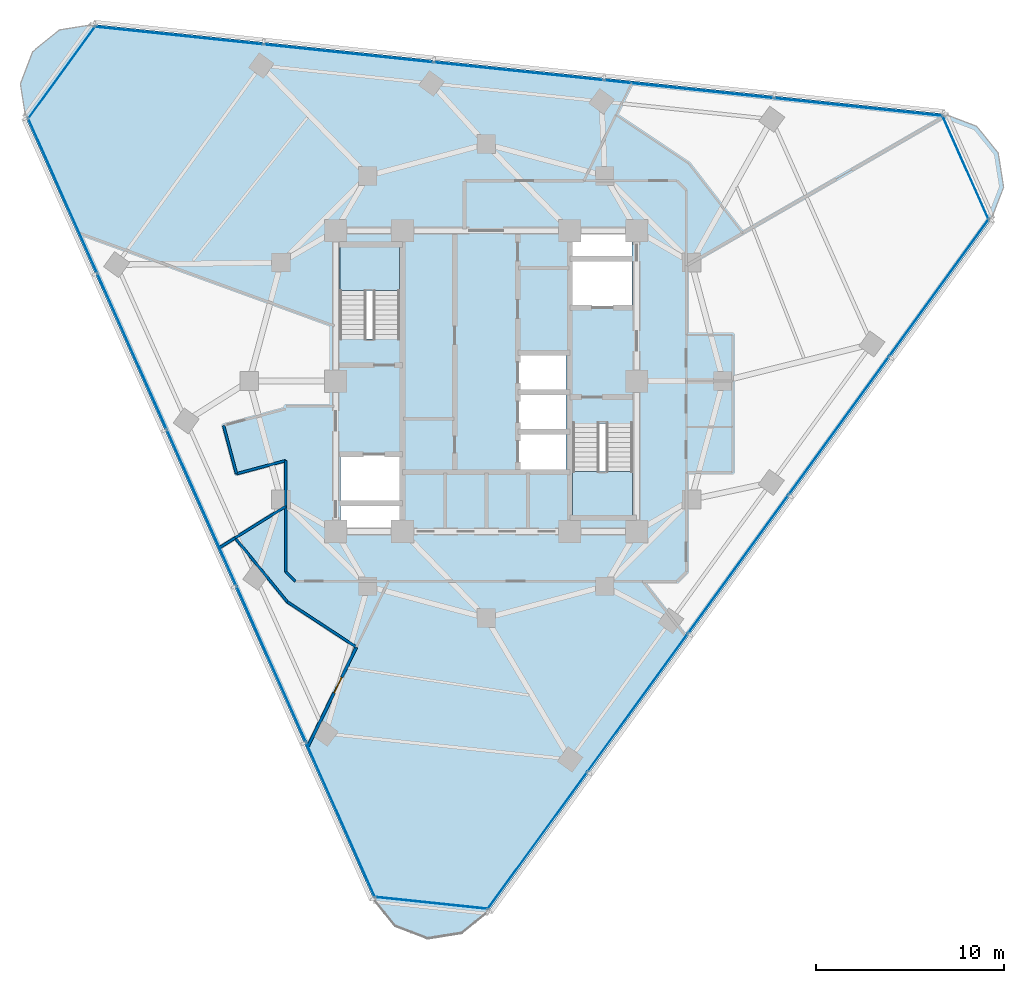
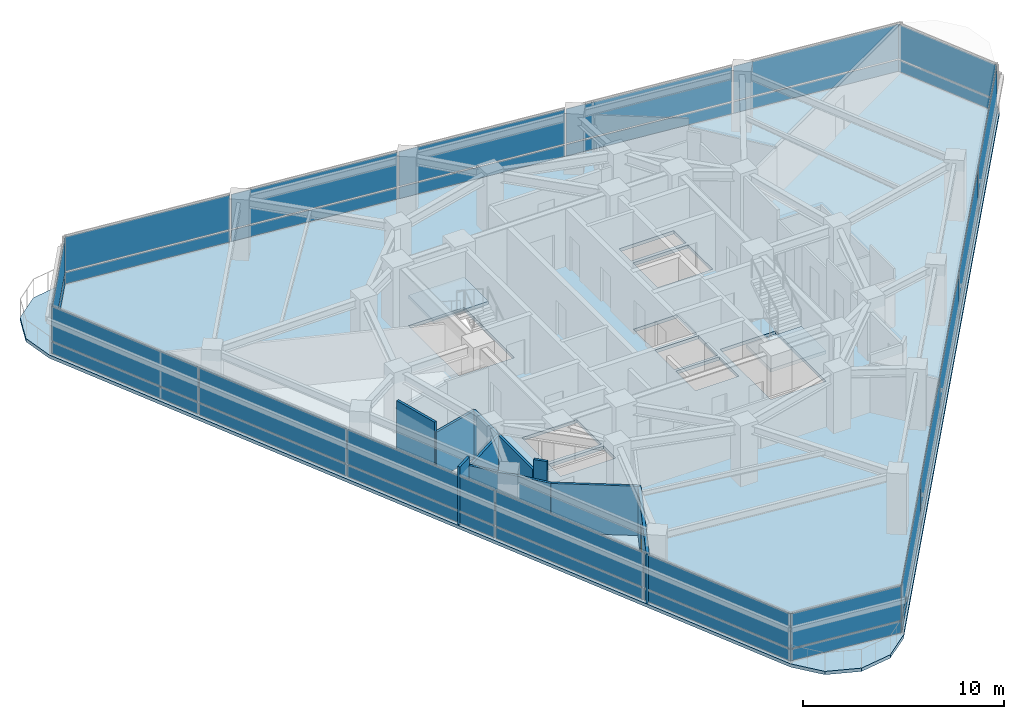
# One storey, part 7 of 14: 36 plates, 10 walls, 3 slabs, 1 door, 1 opening, 8 elements without a shape of their own.
"""IFC4 building model written with IfcOpenShell, lengths in metres."""

from ifc_helpers import new_model, si_unit, direction, frame, frame_2d, origin, origin_2d, place, context, subcontext, project, spatial, polyline, rectangle, outline, extrude, material, layer, layer_set, type_object, element, fill, aggregate, save


model = new_model("IFC4")

# Units and contexts
model_context = context("Model", 3, precision=1e-05, world=origin(), true_north=direction((0.0, 1.0)))
body_context = subcontext(model_context, "Body", "Model", "MODEL_VIEW")
ifc_project = project(units=[si_unit("LENGTHUNIT", "METRE"), si_unit("AREAUNIT", "SQUARE_METRE"), si_unit("VOLUMEUNIT", "CUBIC_METRE"), si_unit("PLANEANGLEUNIT", "RADIAN"), si_unit("MASSUNIT", "GRAM", prefix="KILO")], contexts=[model_context])

# Site, building, storey
site_placement = place(None, origin())
site = spatial("IfcSite", under=ifc_project, at=site_placement, CompositionType="ELEMENT")
building_placement = place(site_placement, origin())
building = spatial("IfcBuilding", under=site, at=building_placement, Name="Terralouvre Media Tower", CompositionType="ELEMENT")
storey_placement = place(building_placement, frame((0.0, 0.0, 241.10009765625)))
storey = spatial("IfcBuildingStorey", under=building, at=storey_placement, Name="L62", CompositionType="ELEMENT", Elevation=241.10009765625)

# Slab
ifc_material_1 = material(Name="Concrete C40/50", Category="concrete")
ifc_layer_1 = layer(ifc_material_1, 0.199951171875, Name="Composite Tower Floor Slab S-TYP200")
ifc_layer_set_1 = layer_set([ifc_layer_1], Name="Concrete C40/50")
slab_type_1 = type_object("IfcSlabType", Name="Composite Tower Floor Slab S-TYP200", PredefinedType="FLOOR", material=ifc_layer_set_1)
slab_1_placement = place(storey_placement, frame((0.0, 0.0, -0.2001953125), z_axis=(0.0, 0.0, 1.0), x_axis=(0.587785252292, 0.809016994375, 0.0)))
element("IfcSlab", 1, at=slab_1_placement, inside=storey, type_object=slab_type_1, Name="L62 Structural Floor Slab", PredefinedType="FLOOR", context=body_context, shape_type="SweptSolid", body=[
    extrude(outline(polyline([(-25.824462890625, -11.359619140625), (-26.300048828125, -13.134765625), (-25.824462890625, -14.90966796875), (-24.52490234375, -16.209228515625), (-22.75, -16.684814453125), (22.75, -16.684814453125), (24.52490234375, -16.209228515625), (25.824462890625, -14.90966796875), (26.300048828125, -13.134765625), (25.824462890625, -11.359619140625), (3.074462890625, 28.04443359375), (1.77490234375, 29.34375), (0.0, 29.8193359375), (-1.77490234375, 29.34375), (-3.074462890625, 28.04443359375), (-25.824462890625, -11.359619140625)]), holes=[polyline([(-8.043212890625, -0.157958984375), (-9.01416015625, -0.86328125), (-10.86572265625, 1.68505859375), (-9.894775390625, 2.390380859375), (-8.043212890625, -0.157958984375)]), polyline([(-5.8994140625, 1.399658203125), (-7.881591796875, -0.040283203125), (-9.733154296875, 2.508056640625), (-7.7509765625, 3.9482421875), (-5.8994140625, 1.399658203125)]), polyline([(-3.169677734375, -7.98876953125), (0.887451171875, -5.041015625), (2.7568359375, -7.61376953125), (-1.300537109375, -10.5615234375), (-3.169677734375, -7.98876953125)]), polyline([(0.2490234375, -5.072265625), (-1.320556640625, -6.212646484375), (-2.7900390625, -4.190185546875), (-1.220458984375, -3.0498046875), (0.2490234375, -5.072265625)]), polyline([(1.947998046875, -3.838134765625), (0.37841796875, -4.978271484375), (-1.091064453125, -2.955810546875), (0.478515625, -1.8154296875), (1.947998046875, -3.838134765625)]), polyline([(3.64697265625, -2.603759765625), (2.077392578125, -3.743896484375), (0.60791015625, -1.721435546875), (2.177490234375, -0.5810546875), (3.64697265625, -2.603759765625)]), polyline([(3.169677734375, 7.98876953125), (-0.887451171875, 5.041015625), (-2.7568359375, 7.61376953125), (1.300537109375, 10.5615234375), (3.169677734375, 7.98876953125)]), polyline([(7.7509765625, -3.9482421875), (5.8994140625, -1.399658203125), (7.881591796875, 0.040283203125), (9.733154296875, -2.508056640625), (7.7509765625, -3.9482421875)]), polyline([(9.894775390625, -2.390380859375), (8.043212890625, 0.157958984375), (9.01416015625, 0.86328125), (10.86572265625, -1.68505859375), (9.894775390625, -2.390380859375)])]), origin(), (0.0, 0.0, 1.0), 0.2001953125),
])

# Stair, slab
ifc_material_2 = material(Name="Concrete C45/55", Category="concrete")
stair_type_1 = type_object("IfcStairType", Name="Dogleg Stair Assembly ST-01", PredefinedType="HALF_TURN_STAIR", material=ifc_material_2)
stair_1_placement = place(storey_placement, origin())
stair_1 = element("IfcStair", 2, at=stair_1_placement, inside=storey, type_object=stair_type_1, Name="L62 Core Pressurised Exit Stair ST-01", PredefinedType="HALF_TURN_STAIR")
ifc_material_3 = material(Name="Concrete C45/55", Category="concrete")
ifc_layer_2 = layer(ifc_material_3, 0.199951171875, Name="Reinforced Concrete Stair Half-Landing SL-LD1")
ifc_layer_set_2 = layer_set([ifc_layer_2], Name="Concrete C45/55")
slab_type_2 = type_object("IfcSlabType", Name="Reinforced Concrete Stair Half-Landing SL-LD1", PredefinedType="LANDING", material=ifc_layer_set_2)
slab_2_placement = place(storey_placement, frame((0.0, 0.0, 1.64990234375)))
slab_2 = element("IfcSlab", 3, at=slab_2_placement, type_object=slab_type_2, Name="ST-01 landing 1", PredefinedType="LANDING", context=body_context, shape_type="SweptSolid", body=[
    extrude(outline(polyline([(-4.60009765625, 4.820068359375), (-4.60009765625, 7.260009765625), (-7.780029296875, 7.260009765625), (-7.780029296875, 4.820068359375), (-4.60009765625, 4.820068359375)])), origin(), (0.0, 0.0, 1.0), 0.199951171875),
])
aggregate(stair_1, [slab_2])

ifc_material_4 = material(Name="Concrete C45/55", Category="concrete")
stair_type_2 = type_object("IfcStairType", Name="Dogleg Stair Assembly ST-02", PredefinedType="HALF_TURN_STAIR", material=ifc_material_4)
stair_2_placement = place(storey_placement, origin())
stair_2 = element("IfcStair", 4, at=stair_2_placement, inside=storey, type_object=stair_type_2, Name="L62 Core Pressurised Exit Stair ST-02", PredefinedType="HALF_TURN_STAIR")
slab_3_placement = place(storey_placement, frame((0.0, 0.0, 1.64990234375)))
slab_3 = element("IfcSlab", 5, at=slab_3_placement, type_object=slab_type_2, Name="ST-02 landing 1", PredefinedType="LANDING", context=body_context, shape_type="SweptSolid", body=[
    extrude(outline(polyline([(4.60009765625, -4.820068359375), (4.60009765625, -7.260009765625), (7.780029296875, -7.260009765625), (7.780029296875, -4.820068359375), (4.60009765625, -4.820068359375)])), origin(), (0.0, 0.0, 1.0), 0.199951171875),
])
aggregate(stair_2, [slab_3])

# Curtain wall, plates
ifc_material_5 = material(Name="Low-iron laminated double glazing with solar-control coating", Category="glass")
ifc_layer_3 = layer(ifc_material_5, 0.1650390625, Name="Rounded Wind-Corner Curved Glazing CW-04")
ifc_layer_set_3 = layer_set([ifc_layer_3], Name="Low-iron laminated double glazing with solar-control coating")
curtain_wall_type_1 = type_object("IfcCurtainWallType", Name="Rounded Wind-Corner Curved Glazing CW-04", PredefinedType="NOTDEFINED", material=ifc_layer_set_3)
curtain_wall_1_placement = place(storey_placement, origin())
curtain_wall_1 = element("IfcCurtainWall", 6, at=curtain_wall_1_placement, inside=storey, type_object=curtain_wall_type_1, Name="L62 Rounded Wind-Corner Curtain Wall C0", PredefinedType="NOTDEFINED")
ifc_material_6 = material(Name="Low-iron laminated double glazing with solar-control coating", Category="glass")
ifc_layer_4 = layer(ifc_material_6, 0.0400390625, Name="Rounded Corner Laminated Vision Panel CWP-03")
ifc_layer_set_4 = layer_set([ifc_layer_4], Name="Low-iron laminated double glazing with solar-control coating")
plate_type_1 = type_object("IfcPlateType", Name="Rounded Corner Laminated Vision Panel CWP-03", PredefinedType="CURTAIN_PANEL", material=ifc_layer_set_4)
plate_1_placement = place(storey_placement, frame((-2.916748046875, -27.75146484375, 0.074951171875), z_axis=(0.0, 0.0, 1.0), x_axis=(0.994521944551, -0.104527995322, 0.0)))
plate_1 = element("IfcPlate", 7, at=plate_1_placement, type_object=plate_type_1, Name="CW-04 panel 1.1", PredefinedType="CURTAIN_PANEL", context=body_context, shape_type="SweptSolid", body=[
    extrude(rectangle(XDim=5.998779296875, YDim=0.035888671875, at=origin_2d()), origin(), (0.0, 0.0, 1.0), 0.6875),
])
plate_2_placement = place(storey_placement, frame((-2.916748046875, -27.75146484375, 0.83740234375), z_axis=(0.0, 0.0, 1.0), x_axis=(0.994521944551, -0.104527995322, 0.0)))
plate_2 = element("IfcPlate", 8, at=plate_2_placement, type_object=plate_type_1, Name="CW-04 panel 1.2", PredefinedType="CURTAIN_PANEL", context=body_context, shape_type="SweptSolid", body=[
    extrude(rectangle(XDim=5.998779296875, YDim=0.035888671875, at=origin_2d()), origin(), (0.0, 0.0, 1.0), 2.08740234375),
])
aggregate(curtain_wall_1, [plate_1, plate_2])

curtain_wall_2_placement = place(storey_placement, origin())
curtain_wall_2 = element("IfcCurtainWall", 9, at=curtain_wall_2_placement, inside=storey, type_object=curtain_wall_type_1, Name="L62 Rounded Wind-Corner Curtain Wall C1", PredefinedType="NOTDEFINED")
plate_3_placement = place(storey_placement, frame((25.491943359375, 11.349853515625, 0.074951171875), z_axis=(0.0, 0.0, 1.0), x_axis=(-0.406737441315, 0.913545102243, 0.0)))
plate_3 = element("IfcPlate", 10, at=plate_3_placement, type_object=plate_type_1, Name="CW-04 panel 1.1", PredefinedType="CURTAIN_PANEL", context=body_context, shape_type="SweptSolid", body=[
    extrude(rectangle(XDim=5.998779296875, YDim=0.035888671875, at=origin_2d()), origin(), (0.0, 0.0, 1.0), 0.6875),
])
plate_4_placement = place(storey_placement, frame((25.491943359375, 11.349853515625, 0.83740234375), z_axis=(0.0, 0.0, 1.0), x_axis=(-0.406737441315, 0.913545102243, 0.0)))
plate_4 = element("IfcPlate", 11, at=plate_4_placement, type_object=plate_type_1, Name="CW-04 panel 1.2", PredefinedType="CURTAIN_PANEL", context=body_context, shape_type="SweptSolid", body=[
    extrude(rectangle(XDim=5.998779296875, YDim=0.035888671875, at=origin_2d()), origin(), (0.0, 0.0, 1.0), 2.08740234375),
])
aggregate(curtain_wall_2, [plate_3, plate_4])

curtain_wall_3_placement = place(storey_placement, origin())
curtain_wall_3 = element("IfcCurtainWall", 12, at=curtain_wall_3_placement, inside=storey, type_object=curtain_wall_type_1, Name="L62 Rounded Wind-Corner Curtain Wall C2", PredefinedType="NOTDEFINED")
plate_5_placement = place(storey_placement, frame((-22.5751953125, 16.40185546875, 0.074951171875), z_axis=(0.0, 0.0, 1.0), x_axis=(-0.58778588998, -0.809016531067, 0.0)))
plate_5 = element("IfcPlate", 13, at=plate_5_placement, type_object=plate_type_1, Name="CW-04 panel 1.1", PredefinedType="CURTAIN_PANEL", context=body_context, shape_type="SweptSolid", body=[
    extrude(rectangle(XDim=5.998779296875, YDim=0.035888671875, at=origin_2d()), origin(), (0.0, 0.0, 1.0), 0.6875),
])
plate_6_placement = place(storey_placement, frame((-22.5751953125, 16.40185546875, 0.83740234375), z_axis=(0.0, 0.0, 1.0), x_axis=(-0.58778588998, -0.809016531067, 0.0)))
plate_6 = element("IfcPlate", 14, at=plate_6_placement, type_object=plate_type_1, Name="CW-04 panel 1.2", PredefinedType="CURTAIN_PANEL", context=body_context, shape_type="SweptSolid", body=[
    extrude(rectangle(XDim=5.998779296875, YDim=0.035888671875, at=origin_2d()), origin(), (0.0, 0.0, 1.0), 2.08740234375),
])
aggregate(curtain_wall_3, [plate_5, plate_6])

ifc_material_7 = material(Name="Low-iron laminated double glazing with solar-control coating", Category="glass")
ifc_layer_5 = layer(ifc_material_7, 0.1650390625, Name="Upper Executive Tower Curtain Wall CW-05")
ifc_layer_set_5 = layer_set([ifc_layer_5], Name="Low-iron laminated double glazing with solar-control coating")
curtain_wall_type_2 = type_object("IfcCurtainWallType", Name="Upper Executive Tower Curtain Wall CW-05", PredefinedType="NOTDEFINED", material=ifc_layer_set_5)
curtain_wall_4_placement = place(storey_placement, origin())
curtain_wall_4 = element("IfcCurtainWall", 15, at=curtain_wall_4_placement, inside=storey, type_object=curtain_wall_type_2, Name="L62 Facade Curtain Wall F0", PredefinedType="NOTDEFINED")
ifc_material_8 = material(Name="Low-iron laminated double glazing with solar-control coating", Category="glass")
ifc_layer_6 = layer(ifc_material_8, 0.035888671875, Name="Vision Double-Glazed Unit CWP-01")
ifc_layer_set_6 = layer_set([ifc_layer_6], Name="Low-iron laminated double glazing with solar-control coating")
plate_type_2 = type_object("IfcPlateType", Name="Vision Double-Glazed Unit CWP-01", PredefinedType="CURTAIN_PANEL", material=ifc_layer_set_6)
plate_7_placement = place(storey_placement, frame((2.71435546875, -24.4453125, 0.074951171875), z_axis=(0.0, 0.0, 1.0), x_axis=(0.587785300879, 0.809016959074, 0.0)))
plate_7 = element("IfcPlate", 16, at=plate_7_placement, type_object=plate_type_2, Name="CW-05 panel 1.1", PredefinedType="CURTAIN_PANEL", context=body_context, shape_type="SweptSolid", body=[
    extrude(rectangle(XDim=8.987548828125, YDim=0.035888671875, at=origin_2d()), origin(), (0.0, 0.0, 1.0), 0.6875),
])
plate_8_placement = place(storey_placement, frame((2.71435546875, -24.4453125, 0.83740234375), z_axis=(0.0, 0.0, 1.0), x_axis=(0.587785300879, 0.809016959074, 0.0)))
plate_8 = element("IfcPlate", 17, at=plate_8_placement, type_object=plate_type_2, Name="CW-05 panel 1.2", PredefinedType="CURTAIN_PANEL", context=body_context, shape_type="SweptSolid", body=[
    extrude(rectangle(XDim=8.987548828125, YDim=0.035888671875, at=origin_2d()), origin(), (0.0, 0.0, 1.0), 2.08740234375),
])
plate_9_placement = place(storey_placement, frame((8.05224609375, -17.0986328125, 0.074951171875), z_axis=(0.0, 0.0, 1.0), x_axis=(0.587785300879, 0.809016959074, 0.0)))
plate_9 = element("IfcPlate", 18, at=plate_9_placement, type_object=plate_type_2, Name="CW-05 panel 2.1", PredefinedType="CURTAIN_PANEL", context=body_context, shape_type="SweptSolid", body=[
    extrude(rectangle(XDim=9.02490234375, YDim=0.035888671875, at=origin_2d()), origin(), (0.0, 0.0, 1.0), 0.6875),
])
plate_10_placement = place(storey_placement, frame((8.05224609375, -17.0986328125, 0.83740234375), z_axis=(0.0, 0.0, 1.0), x_axis=(0.587785300879, 0.809016959074, 0.0)))
plate_10 = element("IfcPlate", 19, at=plate_10_placement, type_object=plate_type_2, Name="CW-05 panel 2.2", PredefinedType="CURTAIN_PANEL", context=body_context, shape_type="SweptSolid", body=[
    extrude(rectangle(XDim=9.02490234375, YDim=0.035888671875, at=origin_2d()), origin(), (0.0, 0.0, 1.0), 2.08740234375),
])
plate_11_placement = place(storey_placement, frame((13.401123046875, -9.736572265625, 0.074951171875), z_axis=(0.0, 0.0, 1.0), x_axis=(0.587785300879, 0.809016959074, 0.0)))
plate_11 = element("IfcPlate", 20, at=plate_11_placement, type_object=plate_type_2, Name="CW-05 panel 3.1", PredefinedType="CURTAIN_PANEL", context=body_context, shape_type="SweptSolid", body=[
    extrude(rectangle(XDim=9.02490234375, YDim=0.035888671875, at=origin_2d()), origin(), (0.0, 0.0, 1.0), 0.6875),
])
plate_12_placement = place(storey_placement, frame((13.401123046875, -9.736572265625, 0.83740234375), z_axis=(0.0, 0.0, 1.0), x_axis=(0.587785300879, 0.809016959074, 0.0)))
plate_12 = element("IfcPlate", 21, at=plate_12_placement, type_object=plate_type_2, Name="CW-05 panel 3.2", PredefinedType="CURTAIN_PANEL", context=body_context, shape_type="SweptSolid", body=[
    extrude(rectangle(XDim=9.02490234375, YDim=0.035888671875, at=origin_2d()), origin(), (0.0, 0.0, 1.0), 2.08740234375),
])
plate_13_placement = place(storey_placement, frame((18.75, -2.37451171875, 0.074951171875), z_axis=(0.0, 0.0, 1.0), x_axis=(0.587785300879, 0.809016959074, 0.0)))
plate_13 = element("IfcPlate", 22, at=plate_13_placement, type_object=plate_type_2, Name="CW-05 panel 4.1", PredefinedType="CURTAIN_PANEL", context=body_context, shape_type="SweptSolid", body=[
    extrude(rectangle(XDim=9.02490234375, YDim=0.035888671875, at=origin_2d()), origin(), (0.0, 0.0, 1.0), 0.6875),
])
plate_14_placement = place(storey_placement, frame((18.75, -2.37451171875, 0.83740234375), z_axis=(0.0, 0.0, 1.0), x_axis=(0.587785300879, 0.809016959074, 0.0)))
plate_14 = element("IfcPlate", 23, at=plate_14_placement, type_object=plate_type_2, Name="CW-05 panel 4.2", PredefinedType="CURTAIN_PANEL", context=body_context, shape_type="SweptSolid", body=[
    extrude(rectangle(XDim=9.02490234375, YDim=0.035888671875, at=origin_2d()), origin(), (0.0, 0.0, 1.0), 2.08740234375),
])
plate_15_placement = place(storey_placement, frame((24.087890625, 4.972412109375, 0.074951171875), z_axis=(0.0, 0.0, 1.0), x_axis=(0.587785300879, 0.809016959074, 0.0)))
plate_15 = element("IfcPlate", 24, at=plate_15_placement, type_object=plate_type_2, Name="CW-05 panel 5.1", PredefinedType="CURTAIN_PANEL", context=body_context, shape_type="SweptSolid", body=[
    extrude(rectangle(XDim=8.987548828125, YDim=0.035888671875, at=origin_2d()), origin(), (0.0, 0.0, 1.0), 0.6875),
])
plate_16_placement = place(storey_placement, frame((24.087890625, 4.972412109375, 0.83740234375), z_axis=(0.0, 0.0, 1.0), x_axis=(0.587785300879, 0.809016959074, 0.0)))
plate_16 = element("IfcPlate", 25, at=plate_16_placement, type_object=plate_type_2, Name="CW-05 panel 5.2", PredefinedType="CURTAIN_PANEL", context=body_context, shape_type="SweptSolid", body=[
    extrude(rectangle(XDim=8.987548828125, YDim=0.035888671875, at=origin_2d()), origin(), (0.0, 0.0, 1.0), 2.08740234375),
])
aggregate(curtain_wall_4, [plate_7, plate_8, plate_9, plate_10, plate_11, plate_12, plate_13, plate_14, plate_15, plate_16])

curtain_wall_5_placement = place(storey_placement, origin())
curtain_wall_5 = element("IfcCurtainWall", 26, at=curtain_wall_5_placement, inside=storey, type_object=curtain_wall_type_2, Name="L62 Facade Curtain Wall F1", PredefinedType="NOTDEFINED")
plate_17_placement = place(storey_placement, frame((19.813232421875, 14.573486328125, 0.074951171875), z_axis=(0.0, 0.0, 1.0), x_axis=(-0.994521885028, 0.104528561651, 0.0)))
plate_17 = element("IfcPlate", 27, at=plate_17_placement, type_object=plate_type_2, Name="CW-05 panel 1.1", PredefinedType="CURTAIN_PANEL", context=body_context, shape_type="SweptSolid", body=[
    extrude(rectangle(XDim=8.987548828125, YDim=0.035888671875, at=origin_2d()), origin(), (0.0, 0.0, 1.0), 0.6875),
])
plate_18_placement = place(storey_placement, frame((19.813232421875, 14.573486328125, 0.83740234375), z_axis=(0.0, 0.0, 1.0), x_axis=(-0.994521885028, 0.104528561651, 0.0)))
plate_18 = element("IfcPlate", 28, at=plate_18_placement, type_object=plate_type_2, Name="CW-05 panel 1.2", PredefinedType="CURTAIN_PANEL", context=body_context, shape_type="SweptSolid", body=[
    extrude(rectangle(XDim=8.987548828125, YDim=0.035888671875, at=origin_2d()), origin(), (0.0, 0.0, 1.0), 2.08740234375),
])
plate_19_placement = place(storey_placement, frame((10.78173828125, 15.522705078125, 0.074951171875), z_axis=(0.0, 0.0, 1.0), x_axis=(-0.994521885028, 0.104528561651, 0.0)))
plate_19 = element("IfcPlate", 29, at=plate_19_placement, type_object=plate_type_2, Name="CW-05 panel 2.1", PredefinedType="CURTAIN_PANEL", context=body_context, shape_type="SweptSolid", body=[
    extrude(rectangle(XDim=9.02490234375, YDim=0.035888671875, at=origin_2d()), origin(), (0.0, 0.0, 1.0), 0.6875),
])
plate_20_placement = place(storey_placement, frame((10.78173828125, 15.522705078125, 0.83740234375), z_axis=(0.0, 0.0, 1.0), x_axis=(-0.994521885028, 0.104528561651, 0.0)))
plate_20 = element("IfcPlate", 30, at=plate_20_placement, type_object=plate_type_2, Name="CW-05 panel 2.2", PredefinedType="CURTAIN_PANEL", context=body_context, shape_type="SweptSolid", body=[
    extrude(rectangle(XDim=9.02490234375, YDim=0.035888671875, at=origin_2d()), origin(), (0.0, 0.0, 1.0), 2.08740234375),
])
plate_21_placement = place(storey_placement, frame((1.7314453125, 16.473876953125, 0.074951171875), z_axis=(0.0, 0.0, 1.0), x_axis=(-0.994521885028, 0.104528561651, 0.0)))
plate_21 = element("IfcPlate", 31, at=plate_21_placement, type_object=plate_type_2, Name="CW-05 panel 3.1", PredefinedType="CURTAIN_PANEL", context=body_context, shape_type="SweptSolid", body=[
    extrude(rectangle(XDim=9.02490234375, YDim=0.035888671875, at=origin_2d()), origin(), (0.0, 0.0, 1.0), 0.6875),
])
plate_22_placement = place(storey_placement, frame((1.7314453125, 16.473876953125, 0.83740234375), z_axis=(0.0, 0.0, 1.0), x_axis=(-0.994521885028, 0.104528561651, 0.0)))
plate_22 = element("IfcPlate", 32, at=plate_22_placement, type_object=plate_type_2, Name="CW-05 panel 3.2", PredefinedType="CURTAIN_PANEL", context=body_context, shape_type="SweptSolid", body=[
    extrude(rectangle(XDim=9.02490234375, YDim=0.035888671875, at=origin_2d()), origin(), (0.0, 0.0, 1.0), 2.08740234375),
])
plate_23_placement = place(storey_placement, frame((-7.318603515625, 17.42529296875, 0.074951171875), z_axis=(0.0, 0.0, 1.0), x_axis=(-0.994521885028, 0.104528561651, 0.0)))
plate_23 = element("IfcPlate", 33, at=plate_23_placement, type_object=plate_type_2, Name="CW-05 panel 4.1", PredefinedType="CURTAIN_PANEL", context=body_context, shape_type="SweptSolid", body=[
    extrude(rectangle(XDim=9.02490234375, YDim=0.035888671875, at=origin_2d()), origin(), (0.0, 0.0, 1.0), 0.6875),
])
plate_24_placement = place(storey_placement, frame((-7.318603515625, 17.42529296875, 0.83740234375), z_axis=(0.0, 0.0, 1.0), x_axis=(-0.994521885028, 0.104528561651, 0.0)))
plate_24 = element("IfcPlate", 34, at=plate_24_placement, type_object=plate_type_2, Name="CW-05 panel 4.2", PredefinedType="CURTAIN_PANEL", context=body_context, shape_type="SweptSolid", body=[
    extrude(rectangle(XDim=9.02490234375, YDim=0.035888671875, at=origin_2d()), origin(), (0.0, 0.0, 1.0), 2.08740234375),
])
plate_25_placement = place(storey_placement, frame((-16.35009765625, 18.37451171875, 0.074951171875), z_axis=(0.0, 0.0, 1.0), x_axis=(-0.994521885028, 0.104528561651, 0.0)))
plate_25 = element("IfcPlate", 35, at=plate_25_placement, type_object=plate_type_2, Name="CW-05 panel 5.1", PredefinedType="CURTAIN_PANEL", context=body_context, shape_type="SweptSolid", body=[
    extrude(rectangle(XDim=8.987548828125, YDim=0.035888671875, at=origin_2d()), origin(), (0.0, 0.0, 1.0), 0.6875),
])
plate_26_placement = place(storey_placement, frame((-16.35009765625, 18.37451171875, 0.83740234375), z_axis=(0.0, 0.0, 1.0), x_axis=(-0.994521885028, 0.104528561651, 0.0)))
plate_26 = element("IfcPlate", 36, at=plate_26_placement, type_object=plate_type_2, Name="CW-05 panel 5.2", PredefinedType="CURTAIN_PANEL", context=body_context, shape_type="SweptSolid", body=[
    extrude(rectangle(XDim=8.987548828125, YDim=0.035888671875, at=origin_2d()), origin(), (0.0, 0.0, 1.0), 2.08740234375),
])
aggregate(curtain_wall_5, [plate_17, plate_18, plate_19, plate_20, plate_21, plate_22, plate_23, plate_24, plate_25, plate_26])

curtain_wall_6_placement = place(storey_placement, origin())
curtain_wall_6 = element("IfcCurtainWall", 37, at=curtain_wall_6_placement, inside=storey, type_object=curtain_wall_type_2, Name="L62 Facade Curtain Wall F2", PredefinedType="NOTDEFINED")
plate_27_placement = place(storey_placement, frame((-22.527587890625, 9.871826171875, 0.074951171875), z_axis=(0.0, 0.0, 1.0), x_axis=(0.406736679636, -0.913545441365, 0.0)))
plate_27 = element("IfcPlate", 38, at=plate_27_placement, type_object=plate_type_2, Name="CW-05 panel 1.1", PredefinedType="CURTAIN_PANEL", context=body_context, shape_type="SweptSolid", body=[
    extrude(rectangle(XDim=8.987548828125, YDim=0.035888671875, at=origin_2d()), origin(), (0.0, 0.0, 1.0), 0.6875),
])
plate_28_placement = place(storey_placement, frame((-22.527587890625, 9.871826171875, 0.83740234375), z_axis=(0.0, 0.0, 1.0), x_axis=(0.406736679636, -0.913545441365, 0.0)))
plate_28 = element("IfcPlate", 39, at=plate_28_placement, type_object=plate_type_2, Name="CW-05 panel 1.2", PredefinedType="CURTAIN_PANEL", context=body_context, shape_type="SweptSolid", body=[
    extrude(rectangle(XDim=8.987548828125, YDim=0.035888671875, at=origin_2d()), origin(), (0.0, 0.0, 1.0), 2.08740234375),
])
plate_29_placement = place(storey_placement, frame((-18.833984375, 1.57568359375, 0.074951171875), z_axis=(0.0, 0.0, 1.0), x_axis=(0.406736679636, -0.913545441365, 0.0)))
plate_29 = element("IfcPlate", 40, at=plate_29_placement, type_object=plate_type_2, Name="CW-05 panel 2.1", PredefinedType="CURTAIN_PANEL", context=body_context, shape_type="SweptSolid", body=[
    extrude(rectangle(XDim=9.02490234375, YDim=0.035888671875, at=origin_2d()), origin(), (0.0, 0.0, 1.0), 0.6875),
])
plate_30_placement = place(storey_placement, frame((-18.833984375, 1.57568359375, 0.83740234375), z_axis=(0.0, 0.0, 1.0), x_axis=(0.406736679636, -0.913545441365, 0.0)))
plate_30 = element("IfcPlate", 41, at=plate_30_placement, type_object=plate_type_2, Name="CW-05 panel 2.2", PredefinedType="CURTAIN_PANEL", context=body_context, shape_type="SweptSolid", body=[
    extrude(rectangle(XDim=9.02490234375, YDim=0.035888671875, at=origin_2d()), origin(), (0.0, 0.0, 1.0), 2.08740234375),
])
plate_31_placement = place(storey_placement, frame((-15.132568359375, -6.737548828125, 0.074951171875), z_axis=(0.0, 0.0, 1.0), x_axis=(0.406736679636, -0.913545441365, 0.0)))
plate_31 = element("IfcPlate", 42, at=plate_31_placement, type_object=plate_type_2, Name="CW-05 panel 3.1", PredefinedType="CURTAIN_PANEL", context=body_context, shape_type="SweptSolid", body=[
    extrude(rectangle(XDim=9.02490234375, YDim=0.035888671875, at=origin_2d()), origin(), (0.0, 0.0, 1.0), 0.6875),
])
plate_32_placement = place(storey_placement, frame((-15.132568359375, -6.737548828125, 0.83740234375), z_axis=(0.0, 0.0, 1.0), x_axis=(0.406736679636, -0.913545441365, 0.0)))
plate_32 = element("IfcPlate", 43, at=plate_32_placement, type_object=plate_type_2, Name="CW-05 panel 3.2", PredefinedType="CURTAIN_PANEL", context=body_context, shape_type="SweptSolid", body=[
    extrude(rectangle(XDim=9.02490234375, YDim=0.035888671875, at=origin_2d()), origin(), (0.0, 0.0, 1.0), 2.08740234375),
])
plate_33_placement = place(storey_placement, frame((-11.431396484375, -15.05078125, 0.074951171875), z_axis=(0.0, 0.0, 1.0), x_axis=(0.406736679636, -0.913545441365, 0.0)))
plate_33 = element("IfcPlate", 44, at=plate_33_placement, type_object=plate_type_2, Name="CW-05 panel 4.1", PredefinedType="CURTAIN_PANEL", context=body_context, shape_type="SweptSolid", body=[
    extrude(rectangle(XDim=9.02490234375, YDim=0.035888671875, at=origin_2d()), origin(), (0.0, 0.0, 1.0), 0.6875),
])
plate_34_placement = place(storey_placement, frame((-11.431396484375, -15.05078125, 0.83740234375), z_axis=(0.0, 0.0, 1.0), x_axis=(0.406736679636, -0.913545441365, 0.0)))
plate_34 = element("IfcPlate", 45, at=plate_34_placement, type_object=plate_type_2, Name="CW-05 panel 4.2", PredefinedType="CURTAIN_PANEL", context=body_context, shape_type="SweptSolid", body=[
    extrude(rectangle(XDim=9.02490234375, YDim=0.035888671875, at=origin_2d()), origin(), (0.0, 0.0, 1.0), 2.08740234375),
])
plate_35_placement = place(storey_placement, frame((-7.737548828125, -23.346923828125, 0.074951171875), z_axis=(0.0, 0.0, 1.0), x_axis=(0.406736679636, -0.913545441365, 0.0)))
plate_35 = element("IfcPlate", 46, at=plate_35_placement, type_object=plate_type_2, Name="CW-05 panel 5.1", PredefinedType="CURTAIN_PANEL", context=body_context, shape_type="SweptSolid", body=[
    extrude(rectangle(XDim=8.987548828125, YDim=0.035888671875, at=origin_2d()), origin(), (0.0, 0.0, 1.0), 0.6875),
])
plate_36_placement = place(storey_placement, frame((-7.737548828125, -23.346923828125, 0.83740234375), z_axis=(0.0, 0.0, 1.0), x_axis=(0.406736679636, -0.913545441365, 0.0)))
plate_36 = element("IfcPlate", 47, at=plate_36_placement, type_object=plate_type_2, Name="CW-05 panel 5.2", PredefinedType="CURTAIN_PANEL", context=body_context, shape_type="SweptSolid", body=[
    extrude(rectangle(XDim=8.987548828125, YDim=0.035888671875, at=origin_2d()), origin(), (0.0, 0.0, 1.0), 2.08740234375),
])
aggregate(curtain_wall_6, [plate_27, plate_28, plate_29, plate_30, plate_31, plate_32, plate_33, plate_34, plate_35, plate_36])

# Walls
ifc_material_9 = material(Name="Fire-rated gypsum board drywall partition")
ifc_layer_7 = layer(ifc_material_9, 0.135009765625, Name="Newsroom Acoustic Partition PT-135")
ifc_layer_set_7 = layer_set([ifc_layer_7], Name="Fire-rated gypsum board drywall partition")
wall_type_1 = type_object("IfcWallType", Name="Newsroom Acoustic Partition PT-135", PredefinedType="PARTITIONING", material=ifc_layer_set_7)
wall_1_placement = place(storey_placement, frame((-13.9619140625, -2.368896484375, 0.0), z_axis=(0.0, 0.0, 1.0), x_axis=(0.258413725385, -0.966034340245, 0.0)))
element("IfcWall", 48, at=wall_1_placement, inside=storey, type_object=wall_type_1, Name="L62 Interior Partition 003", PredefinedType="PARTITIONING", context=body_context, shape_type="SweptSolid", body=[
    extrude(rectangle(XDim=2.650146484375, YDim=0.135009765625, at=frame_2d((1.3251953125, 0.0))), origin(), (0.0, 0.0, 1.0), 3.5),
])
wall_2_placement = place(storey_placement, frame((-13.277099609375, -4.928955078125, 0.0), z_axis=(0.0, 0.0, 1.0), x_axis=(0.965934830229, 0.258785439601, 0.0)))
element("IfcWall", 49, at=wall_2_placement, inside=storey, type_object=wall_type_1, Name="L62 Interior Partition 004", PredefinedType="PARTITIONING", context=body_context, shape_type="SweptSolid", body=[
    extrude(rectangle(XDim=2.719970703125, YDim=0.135009765625, at=frame_2d((1.35986328125, 0.0))), origin(), (0.0, 0.0, 1.0), 2.885009765625),
])
wall_3_placement = place(storey_placement, frame((-10.64990234375, -4.22509765625, 0.0), z_axis=(0.0, 0.0, 1.0), x_axis=(0.0, -1.0, 0.0)))
element("IfcWall", 50, at=wall_3_placement, inside=storey, type_object=wall_type_1, Name="L62 Interior Partition 005", PredefinedType="PARTITIONING", context=body_context, shape_type="SweptSolid", body=[
    extrude(rectangle(XDim=2.429931640625, YDim=0.135009765625, at=frame_2d((1.21484375, 0.0))), origin(), (0.0, 0.0, 1.0), 2.885009765625),
])
wall_4_placement = place(storey_placement, frame((-10.64990234375, -6.655029296875, 0.0), z_axis=(0.0, 0.0, 1.0), x_axis=(0.0, -1.0, 0.0)))
element("IfcWall", 51, at=wall_4_placement, inside=storey, type_object=wall_type_1, Name="L62 Interior Partition 006", PredefinedType="PARTITIONING", context=body_context, shape_type="SweptSolid", body=[
    extrude(rectangle(XDim=3.494873046875, YDim=0.135009765625, at=frame_2d((1.74755859375, 0.0))), origin(), (0.0, 0.0, 1.0), 2.885009765625),
])
wall_5_placement = place(storey_placement, frame((-10.64990234375, -10.14990234375, 0.0), z_axis=(0.0, 0.0, 1.0), x_axis=(0.707106781187, -0.707106781187, 0.0)))
element("IfcWall", 52, at=wall_5_placement, inside=storey, type_object=wall_type_1, Name="L62 Interior Partition 007", PredefinedType="PARTITIONING", context=body_context, shape_type="SweptSolid", body=[
    extrude(rectangle(XDim=0.70703125, YDim=0.135009765625, at=frame_2d((0.353515625, 0.0))), origin(), (0.0, 0.0, 1.0), 3.5),
])
wall_6_placement = place(storey_placement, frame((-13.35009765625, -8.342041015625, 0.0), z_axis=(0.0, 0.0, 1.0), x_axis=(0.848084450475, 0.529861080721, 0.0)))
element("IfcWall", 53, at=wall_6_placement, inside=storey, type_object=wall_type_1, Name="L62 Interior Partition 022", PredefinedType="PARTITIONING", context=body_context, shape_type="SweptSolid", body=[
    extrude(rectangle(XDim=3.183837890625, YDim=0.135009765625, at=frame_2d((1.591796875, 0.0))), origin(), (0.0, 0.0, 1.0), 2.885009765625),
])
wall_7_placement = place(storey_placement, frame((-14.22021484375, -8.88525390625, 0.0), z_axis=(0.0, 0.0, 1.0), x_axis=(0.848265622385, 0.529570990406, 0.0)))
element("IfcWall", 54, at=wall_7_placement, inside=storey, type_object=wall_type_1, Name="L62 Interior Partition 023", PredefinedType="PARTITIONING", context=body_context, shape_type="SweptSolid", body=[
    extrude(rectangle(XDim=1.02587890625, YDim=0.135009765625, at=frame_2d((0.512939453125, 0.0))), origin(), (0.0, 0.0, 1.0), 3.5),
])
wall_8_placement = place(storey_placement, frame((-13.35009765625, -8.342041015625, 0.0), z_axis=(0.0, 0.0, 1.0), x_axis=(0.63273803223, -0.774365922914, 0.0)))
element("IfcWall", 55, at=wall_8_placement, inside=storey, type_object=wall_type_1, Name="L62 Interior Partition 025", PredefinedType="PARTITIONING", context=body_context, shape_type="SweptSolid", body=[
    extrude(rectangle(XDim=4.390625, YDim=0.135009765625, at=frame_2d((2.1953125, 0.0))), origin(), (0.0, 0.0, 1.0), 2.98486328125),
])
wall_9_placement = place(storey_placement, frame((-10.572021484375, -11.741943359375, 0.0), z_axis=(0.0, 0.0, 1.0), x_axis=(0.836278230032, -0.548305318207, 0.0)))
element("IfcWall", 56, at=wall_9_placement, inside=storey, type_object=wall_type_1, Name="L62 Interior Partition 026", PredefinedType="PARTITIONING", context=body_context, shape_type="SweptSolid", body=[
    extrude(rectangle(XDim=4.389892578125, YDim=0.135009765625, at=frame_2d((2.19482421875, 0.0))), origin(), (0.0, 0.0, 1.0), 2.98486328125),
])

# Wall, opening, door
ifc_material_10 = material(Name="Fire-rated gypsum board drywall partition")
ifc_layer_8 = layer(ifc_material_10, 0.159912109375, Name="Studio Acoustic Rated Partition PT-160")
ifc_layer_set_8 = layer_set([ifc_layer_8], Name="Fire-rated gypsum board drywall partition")
wall_type_2 = type_object("IfcWallType", Name="Studio Acoustic Rated Partition PT-160", PredefinedType="PARTITIONING", material=ifc_layer_set_8)
wall_10_placement = place(storey_placement, frame((-9.502197265625, -19.482421875, 0.0), z_axis=(0.0, 0.0, 1.0), x_axis=(0.438370943059, 0.898794145665, 0.0)))
wall_10 = element("IfcWall", 57, at=wall_10_placement, inside=storey, type_object=wall_type_2, Name="L62 Interior Partition 028", PredefinedType="PARTITIONING", context=body_context, shape_type="SweptSolid", body=[
    extrude(rectangle(XDim=5.93408203125, YDim=0.159912109375, at=frame_2d((2.967041015625, 0.0))), origin(), (0.0, 0.0, 1.0), 2.98486328125),
])
opening_placement = place(wall_10_placement, frame((3.218994140625, 0.0, 0.0)))
opening = element("IfcOpeningElement", 58, at=opening_placement, cuts=wall_10, Name="Opening ID-03-92X210", PredefinedType="OPENING", context=body_context, shape_type="SweptSolid", body=[
    extrude(rectangle(XDim=0.919921875, YDim=2.10009765625, at=frame_2d((0.4599609375, 1.050048828125))), frame((0.0, 0.08984375, 0.0), z_axis=(0.0, -1.0, 0.0), x_axis=(1.0, 0.0, 0.0)), (0.0, 0.0, 1.0), 0.179931640625),
])
ifc_material_11 = material(Name="Engineered hardwood acoustic timber leaf", Category="wood")
door_type = type_object("IfcDoorType", Name="Accessible Restroom and Suite Door ID-03 (920x2100)", OperationType="NOTDEFINED", PredefinedType="DOOR", material=ifc_material_11)
door_placement = place(opening_placement, origin())
door = element("IfcDoor", 59, at=door_placement, inside=storey, type_object=door_type, Name="L62 Sports Commentary Control Room 3 Door", OperationType="SINGLE_SWING_LEFT", OverallHeight=2.10009765625, OverallWidth=0.919921875, PredefinedType="DOOR", context=body_context, shape_type="SweptSolid", body=[
    extrude(rectangle(XDim=0.919921875, YDim=2.10009765625, at=frame_2d((0.4599609375, 1.050048828125))), frame((0.0, 0.02490234375, 0.0), z_axis=(0.0, -1.0, 0.0), x_axis=(1.0, 0.0, 0.0)), (0.0, 0.0, 1.0), 0.050048828125),
])
fill(opening, door)

save(model, "model.ifc")
